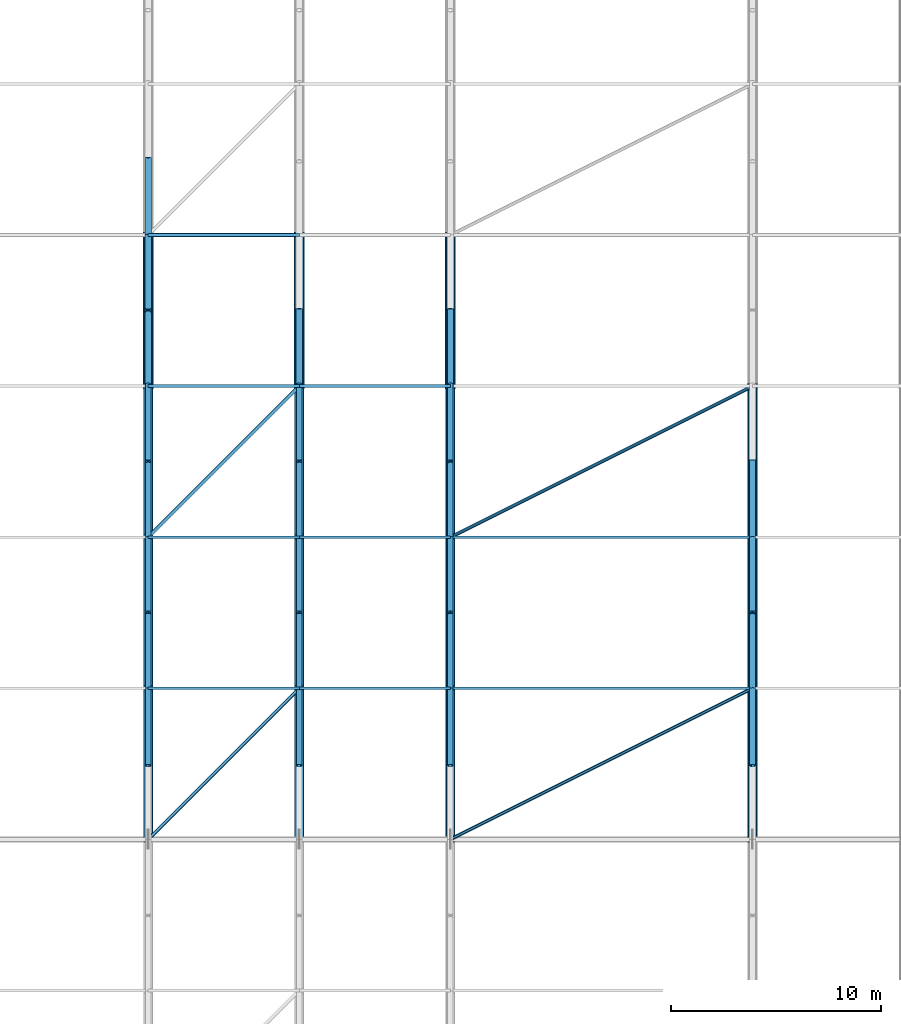
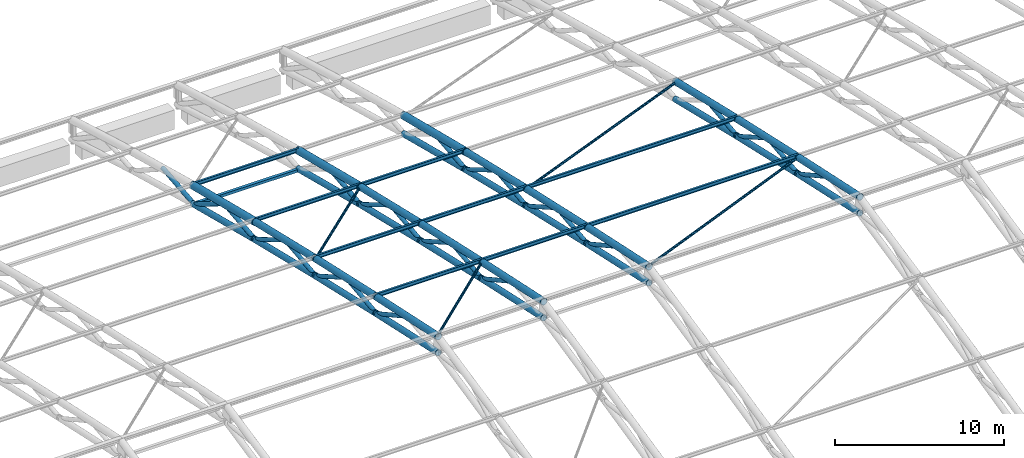
# One storey, part 50 of 193: 68 members.
"""IFC4 building model written with IfcOpenShell, lengths in metres."""

from ifc_helpers import new_model, si_unit, direction, frame, origin, origin_2d, place, context, subcontext, project, spatial, hollow_rectangle, hollow_circle, i_section, extrude, material, material_profile, profile_set, type_object, element, save


model = new_model("IFC4")

# Units and contexts
model_context = context("Model", 3, precision=1e-05, world=origin(), true_north=direction((0.0, 1.0)))
body_context = subcontext(model_context, "Body", "Model", "MODEL_VIEW")
ifc_project = project(units=[si_unit("LENGTHUNIT", "METRE"), si_unit("AREAUNIT", "SQUARE_METRE"), si_unit("VOLUMEUNIT", "CUBIC_METRE"), si_unit("PLANEANGLEUNIT", "RADIAN"), si_unit("MASSUNIT", "GRAM", prefix="KILO")], contexts=[model_context])

# Site, building, storey
site_placement = place(None, origin())
site = spatial("IfcSite", under=ifc_project, at=site_placement, CompositionType="ELEMENT")
building_placement = place(site_placement, origin())
building = spatial("IfcBuilding", under=site, at=building_placement, Name="Cendralis Lancet Convention Centre", CompositionType="ELEMENT")
storey_placement = place(building_placement, frame((0.0, 0.0, 10.199951171875)))
storey = spatial("IfcBuildingStorey", under=building, at=storey_placement, Name="L02", CompositionType="ELEMENT", Elevation=10.199951171875)

# Members
ifc_material = material(Name="Steel S355", Category="steel")
ifc_material_profile_1 = material_profile(ifc_material, hollow_circle(Radius=0.084228515625, WallThickness=0.008056640625, at=origin_2d()), Name="CHS 168.3x8.0")
ifc_profile_set_1 = profile_set([ifc_material_profile_1], Name="Steel S355")
member_type_1 = type_object("IfcMemberType", Name="STR-BR-RB01", PredefinedType="BRACE", material=ifc_profile_set_1)
member_1_placement = place(storey_placement, frame((64.800048828125, 93.60009765625, 14.199951171875), z_axis=(0.699157645692, 0.699157645692, -0.149523151856), x_axis=(-0.707106781187, 0.707106781187, 0.0)))
element("IfcMember", 1, at=member_1_placement, inside=storey, type_object=member_type_1, Name="Roof Diaphragm Brace RB01 V1-07-06A", PredefinedType="BRACE", context=body_context, shape_type="SweptSolid", body=[
    extrude(hollow_circle(Radius=0.084228515625, WallThickness=0.008056640625, at=origin_2d()), origin(), (0.0, 0.0, 1.0), 10.298095703125),
])
member_2_placement = place(storey_placement, frame((64.800048828125, 108.0, 11.056884765625), z_axis=(0.697591582707, 0.697591582707, -0.163499135997), x_axis=(-0.707106781187, 0.707106781187, 0.0)))
element("IfcMember", 2, at=member_2_placement, inside=storey, type_object=member_type_1, Name="Roof Diaphragm Brace RB01 V1-07-08A", PredefinedType="BRACE", context=body_context, shape_type="SweptSolid", body=[
    extrude(hollow_circle(Radius=0.084228515625, WallThickness=0.008056640625, at=origin_2d()), origin(), (0.0, 0.0, 1.0), 10.321044921875),
])
member_3_placement = place(storey_placement, frame((79.199951171875, 93.60009765625, 14.199951171875), z_axis=(0.890367340443, 0.445176122561, -0.095206191889), x_axis=(-0.447207529808, 0.89443022382, 0.0)))
element("IfcMember", 3, at=member_3_placement, inside=storey, type_object=member_type_1, Name="Roof Diaphragm Brace RB01 V1-09-06A", PredefinedType="BRACE", context=body_context, shape_type="SweptSolid", body=[
    extrude(hollow_circle(Radius=0.084228515625, WallThickness=0.008056640625, at=origin_2d()), origin(), (0.0, 0.0, 1.0), 16.17333984375),
])
member_4_placement = place(storey_placement, frame((79.199951171875, 108.0, 11.056884765625), z_axis=(0.88955715425, 0.444771036332, -0.10424391859), x_axis=(-0.447207529808, 0.89443022382, 0.0)))
element("IfcMember", 4, at=member_4_placement, inside=storey, type_object=member_type_1, Name="Roof Diaphragm Brace RB01 V1-09-08A", PredefinedType="BRACE", context=body_context, shape_type="SweptSolid", body=[
    extrude(hollow_circle(Radius=0.084228515625, WallThickness=0.008056640625, at=origin_2d()), origin(), (0.0, 0.0, 1.0), 16.18798828125),
])
ifc_material_profile_2 = material_profile(ifc_material, hollow_rectangle(XDim=0.199951171875, YDim=0.199951171875, WallThickness=0.010009765625, at=origin_2d()), Name="SHS 200x200x10.0")
ifc_profile_set_2 = profile_set([ifc_material_profile_2], Name="Steel S355")
member_type_2 = type_object("IfcMemberType", Name="STR-BR-ST01", PredefinedType="STRUT", material=ifc_profile_set_2)
member_5_placement = place(storey_placement, frame((64.800048828125, 122.39990234375, 6.2509765625), z_axis=(1.0, 0.0, 0.0), x_axis=(0.0, 1.0, 0.0)))
element("IfcMember", 5, at=member_5_placement, inside=storey, type_object=member_type_2, Name="Arch Tie Strut ST01 V1-07-10", PredefinedType="STRUT", context=body_context, shape_type="SweptSolid", body=[
    extrude(hollow_rectangle(XDim=0.199951171875, YDim=0.199951171875, WallThickness=0.010009765625, at=origin_2d()), origin(), (0.0, 0.0, 1.0), 7.199951171875),
])
ifc_material_profile_3 = material_profile(ifc_material, i_section(OverallWidth=0.135009765625, OverallDepth=0.27001953125, WebThickness=0.006591796875, FlangeThickness=0.01025390625, FilletRadius=0.014892578125, at=origin_2d()), Name="IPE 270")
ifc_profile_set_3 = profile_set([ifc_material_profile_3], Name="Steel S355")
member_type_3 = type_object("IfcMemberType", Name="STR-PR-PR01", PredefinedType="PURLIN", material=ifc_profile_set_3)
for number, where, z_axis, x_axis, name in (
    (6, (64.800048828125, 100.800048828125, 12.775146484375), (1.0, 0.0, 0.0), (0.0, 1.0, 0.0), "Vault Roof Purlin PR01 V1-07-07"),
    (7, (64.800048828125, 108.0, 11.171875), (1.0, 0.0, 0.0), (0.0, 1.0, 0.0), "Vault Roof Purlin PR01 V1-07-08"),
    (8, (64.800048828125, 115.199951171875, 9.484375), (1.0, 0.0, 0.0), (0.0, 1.0, 0.0), "Vault Roof Purlin PR01 V1-07-09"),
    (9, (64.800048828125, 122.39990234375, 7.69140625), (1.0, 0.0, 0.0), (0.0, 1.0, 0.0), "Vault Roof Purlin PR01 V1-07-10"),
    (10, (72.0, 100.800048828125, 12.775146484375), (1.0, 0.0, 0.0), (0.0, 1.0, 0.0), "Vault Roof Purlin PR01 V1-08-07"),
    (11, (72.0, 108.0, 11.171875), (1.0, 0.0, 0.0), (0.0, 1.0, 0.0), "Vault Roof Purlin PR01 V1-08-08"),
    (12, (72.0, 115.199951171875, 9.484375), (1.0, 0.0, 0.0), (0.0, 1.0, 0.0), "Vault Roof Purlin PR01 V1-08-09"),
):
    element("IfcMember", number, at=place(storey_placement, frame(where, z_axis=z_axis, x_axis=x_axis)), inside=storey, type_object=member_type_3, Name=name, PredefinedType="PURLIN", context=body_context, shape_type="SweptSolid", body=[
        extrude(i_section(OverallWidth=0.135009765625, OverallDepth=0.27001953125, WebThickness=0.006591796875, FlangeThickness=0.01025390625, FilletRadius=0.014892578125, at=origin_2d()), origin(), (0.0, 0.0, 1.0), 7.199951171875),
    ])
for number, where, z_axis, x_axis, name in (
    (13, (79.199951171875, 100.800048828125, 12.775146484375), (1.0, 0.0, 0.0), (0.0, 1.0, 0.0), "Vault Roof Purlin PR01 V1-09-07"),
    (14, (79.199951171875, 108.0, 11.171875), (1.0, 0.0, 0.0), (0.0, 1.0, 0.0), "Vault Roof Purlin PR01 V1-09-08"),
):
    element("IfcMember", number, at=place(storey_placement, frame(where, z_axis=z_axis, x_axis=x_axis)), inside=storey, type_object=member_type_3, Name=name, PredefinedType="PURLIN", context=body_context, shape_type="SweptSolid", body=[
        extrude(i_section(OverallWidth=0.135009765625, OverallDepth=0.27001953125, WebThickness=0.006591796875, FlangeThickness=0.01025390625, FilletRadius=0.014892578125, at=origin_2d()), origin(), (0.0, 0.0, 1.0), 14.400146484375),
    ])
ifc_material_profile_4 = material_profile(ifc_material, hollow_circle(Radius=0.203125, WallThickness=0.01611328125, at=origin_2d()), Name="CHS 406.4x16.0")
ifc_profile_set_4 = profile_set([ifc_material_profile_4], Name="Steel S355")
member_type_4 = type_object("IfcMemberType", Name="STR-TR-BC01-INT", PredefinedType="CHORD", material=ifc_profile_set_4)
member_6_placement = place(storey_placement, frame((64.800048828125, 93.48291015625, 13.0498046875), z_axis=(0.0, 0.97683404926, -0.213998224775), x_axis=(-1.0, 0.0, 0.0)))
element("IfcMember", 15, at=member_6_placement, inside=storey, type_object=member_type_4, Name="ROOF TRUSS AT-V1-08 Bottom Chord 06", PredefinedType="CHORD", context=body_context, shape_type="SweptSolid", body=[
    extrude(hollow_circle(Radius=0.203125, WallThickness=0.01611328125, at=origin_2d()), origin(), (0.0, 0.0, 1.0), 7.610595703125),
])
member_7_placement = place(storey_placement, frame((64.800048828125, 100.68310546875, 11.4736328125), z_axis=(0.0, 0.975002780506, -0.222192659658), x_axis=(-1.0, 0.0, 0.0)))
element("IfcMember", 16, at=member_7_placement, inside=storey, type_object=member_type_4, Name="ROOF TRUSS AT-V1-08 Bottom Chord 07", PredefinedType="CHORD", context=body_context, shape_type="SweptSolid", body=[
    extrude(hollow_circle(Radius=0.203125, WallThickness=0.01611328125, at=origin_2d()), origin(), (0.0, 0.0, 1.0), 7.62451171875),
])
member_8_placement = place(storey_placement, frame((64.800048828125, 107.88330078125, 9.834228515625), z_axis=(0.0, 0.97248347478, -0.232971868002), x_axis=(-1.0, 0.0, 0.0)))
element("IfcMember", 17, at=member_8_placement, inside=storey, type_object=member_type_4, Name="ROOF TRUSS AT-V1-08 Bottom Chord 08", PredefinedType="CHORD", context=body_context, shape_type="SweptSolid", body=[
    extrude(hollow_circle(Radius=0.203125, WallThickness=0.01611328125, at=origin_2d()), origin(), (0.0, 0.0, 1.0), 7.643798828125),
])
member_9_placement = place(storey_placement, frame((64.800048828125, 115.083740234375, 8.111083984375), z_axis=(0.0, 0.969168531094, -0.246398779092), x_axis=(-1.0, 0.0, 0.0)))
element("IfcMember", 18, at=member_9_placement, inside=storey, type_object=member_type_4, Name="ROOF TRUSS AT-V1-08 Bottom Chord 09", PredefinedType="CHORD", context=body_context, shape_type="SweptSolid", body=[
    extrude(hollow_circle(Radius=0.203125, WallThickness=0.01611328125, at=origin_2d()), origin(), (0.0, 0.0, 1.0), 7.6689453125),
])
member_10_placement = place(storey_placement, frame((72.0, 93.48291015625, 13.0498046875), z_axis=(0.0, 0.97683404926, -0.213998224775), x_axis=(-1.0, 0.0, 0.0)))
element("IfcMember", 19, at=member_10_placement, inside=storey, type_object=member_type_4, Name="ROOF TRUSS AT-V1-09 Bottom Chord 06", PredefinedType="CHORD", context=body_context, shape_type="SweptSolid", body=[
    extrude(hollow_circle(Radius=0.203125, WallThickness=0.01611328125, at=origin_2d()), origin(), (0.0, 0.0, 1.0), 7.610595703125),
])
member_11_placement = place(storey_placement, frame((72.0, 100.68310546875, 11.4736328125), z_axis=(0.0, 0.975002780506, -0.222192659658), x_axis=(-1.0, 0.0, 0.0)))
element("IfcMember", 20, at=member_11_placement, inside=storey, type_object=member_type_4, Name="ROOF TRUSS AT-V1-09 Bottom Chord 07", PredefinedType="CHORD", context=body_context, shape_type="SweptSolid", body=[
    extrude(hollow_circle(Radius=0.203125, WallThickness=0.01611328125, at=origin_2d()), origin(), (0.0, 0.0, 1.0), 7.62451171875),
])
member_12_placement = place(storey_placement, frame((72.0, 107.88330078125, 9.834228515625), z_axis=(0.0, 0.97248347478, -0.232971868002), x_axis=(-1.0, 0.0, 0.0)))
element("IfcMember", 21, at=member_12_placement, inside=storey, type_object=member_type_4, Name="ROOF TRUSS AT-V1-09 Bottom Chord 08", PredefinedType="CHORD", context=body_context, shape_type="SweptSolid", body=[
    extrude(hollow_circle(Radius=0.203125, WallThickness=0.01611328125, at=origin_2d()), origin(), (0.0, 0.0, 1.0), 7.643798828125),
])
member_13_placement = place(storey_placement, frame((72.0, 115.083740234375, 8.111083984375), z_axis=(0.0, 0.969168531094, -0.246398779092), x_axis=(-1.0, 0.0, 0.0)))
element("IfcMember", 22, at=member_13_placement, inside=storey, type_object=member_type_4, Name="ROOF TRUSS AT-V1-09 Bottom Chord 09", PredefinedType="CHORD", context=body_context, shape_type="SweptSolid", body=[
    extrude(hollow_circle(Radius=0.203125, WallThickness=0.01611328125, at=origin_2d()), origin(), (0.0, 0.0, 1.0), 7.6689453125),
])
member_14_placement = place(storey_placement, frame((79.199951171875, 93.48291015625, 13.0498046875), z_axis=(0.0, 0.97683404926, -0.213998224775), x_axis=(-1.0, 0.0, 0.0)))
element("IfcMember", 23, at=member_14_placement, inside=storey, type_object=member_type_4, Name="ROOF TRUSS AT-V1-10 Bottom Chord 06", PredefinedType="CHORD", context=body_context, shape_type="SweptSolid", body=[
    extrude(hollow_circle(Radius=0.203125, WallThickness=0.01611328125, at=origin_2d()), origin(), (0.0, 0.0, 1.0), 7.610595703125),
])
member_15_placement = place(storey_placement, frame((79.199951171875, 100.68310546875, 11.4736328125), z_axis=(0.0, 0.975002780506, -0.222192659658), x_axis=(-1.0, 0.0, 0.0)))
element("IfcMember", 24, at=member_15_placement, inside=storey, type_object=member_type_4, Name="ROOF TRUSS AT-V1-10 Bottom Chord 07", PredefinedType="CHORD", context=body_context, shape_type="SweptSolid", body=[
    extrude(hollow_circle(Radius=0.203125, WallThickness=0.01611328125, at=origin_2d()), origin(), (0.0, 0.0, 1.0), 7.62451171875),
])
member_16_placement = place(storey_placement, frame((79.199951171875, 107.88330078125, 9.834228515625), z_axis=(0.0, 0.97248347478, -0.232971868002), x_axis=(-1.0, 0.0, 0.0)))
element("IfcMember", 25, at=member_16_placement, inside=storey, type_object=member_type_4, Name="ROOF TRUSS AT-V1-10 Bottom Chord 08", PredefinedType="CHORD", context=body_context, shape_type="SweptSolid", body=[
    extrude(hollow_circle(Radius=0.203125, WallThickness=0.01611328125, at=origin_2d()), origin(), (0.0, 0.0, 1.0), 7.643798828125),
])
member_17_placement = place(storey_placement, frame((79.199951171875, 115.083740234375, 8.111083984375), z_axis=(0.0, 0.969168531094, -0.246398779092), x_axis=(-1.0, 0.0, 0.0)))
element("IfcMember", 26, at=member_17_placement, inside=storey, type_object=member_type_4, Name="ROOF TRUSS AT-V1-10 Bottom Chord 09", PredefinedType="CHORD", context=body_context, shape_type="SweptSolid", body=[
    extrude(hollow_circle(Radius=0.203125, WallThickness=0.01611328125, at=origin_2d()), origin(), (0.0, 0.0, 1.0), 7.6689453125),
])
member_18_placement = place(storey_placement, frame((93.60009765625, 93.48291015625, 13.0498046875), z_axis=(0.0, 0.97683404926, -0.213998224775), x_axis=(-1.0, 0.0, 0.0)))
element("IfcMember", 27, at=member_18_placement, inside=storey, type_object=member_type_4, Name="ROOF TRUSS AT-V1-11 Bottom Chord 06", PredefinedType="CHORD", context=body_context, shape_type="SweptSolid", body=[
    extrude(hollow_circle(Radius=0.203125, WallThickness=0.01611328125, at=origin_2d()), origin(), (0.0, 0.0, 1.0), 7.610595703125),
])
member_19_placement = place(storey_placement, frame((93.60009765625, 100.68310546875, 11.4736328125), z_axis=(0.0, 0.975002780506, -0.222192659658), x_axis=(-1.0, 0.0, 0.0)))
element("IfcMember", 28, at=member_19_placement, inside=storey, type_object=member_type_4, Name="ROOF TRUSS AT-V1-11 Bottom Chord 07", PredefinedType="CHORD", context=body_context, shape_type="SweptSolid", body=[
    extrude(hollow_circle(Radius=0.203125, WallThickness=0.01611328125, at=origin_2d()), origin(), (0.0, 0.0, 1.0), 7.62451171875),
])
member_20_placement = place(storey_placement, frame((93.60009765625, 107.88330078125, 9.834228515625), z_axis=(0.0, 0.97248347478, -0.232971868002), x_axis=(-1.0, 0.0, 0.0)))
element("IfcMember", 29, at=member_20_placement, inside=storey, type_object=member_type_4, Name="ROOF TRUSS AT-V1-11 Bottom Chord 08", PredefinedType="CHORD", context=body_context, shape_type="SweptSolid", body=[
    extrude(hollow_circle(Radius=0.203125, WallThickness=0.01611328125, at=origin_2d()), origin(), (0.0, 0.0, 1.0), 7.643798828125),
])
ifc_material_profile_5 = material_profile(ifc_material, hollow_circle(Radius=0.25390625, WallThickness=0.02001953125, at=origin_2d()), Name="CHS 508.0x20.0")
ifc_profile_set_5 = profile_set([ifc_material_profile_5], Name="Steel S355")
member_type_5 = type_object("IfcMemberType", Name="STR-TR-TC01-INT", PredefinedType="CHORD", material=ifc_profile_set_5)
for number, where, z_axis, x_axis, name in (
    (30, (64.800048828125, 115.08349609375, 9.3984375), (0.0, 0.97036146187, -0.241658091769), (-1.0, 0.0, 0.0), "ROOF TRUSS AT-V1-08 Top Chord 09"),
    (31, (72.0, 115.08349609375, 9.3984375), (0.0, 0.97036146187, -0.241658091769), (-1.0, 0.0, 0.0), "ROOF TRUSS AT-V1-09 Top Chord 09"),
    (32, (79.199951171875, 115.08349609375, 9.3984375), (0.0, 0.97036146187, -0.241658091769), (-1.0, 0.0, 0.0), "ROOF TRUSS AT-V1-10 Top Chord 09"),
):
    element("IfcMember", number, at=place(storey_placement, frame(where, z_axis=z_axis, x_axis=x_axis)), inside=storey, type_object=member_type_5, Name=name, PredefinedType="CHORD", context=body_context, shape_type="SweptSolid", body=[
        extrude(hollow_circle(Radius=0.25390625, WallThickness=0.02001953125, at=origin_2d()), origin(), (0.0, 0.0, 1.0), 7.659912109375),
    ])
ifc_material_profile_6 = material_profile(ifc_material, hollow_circle(Radius=0.228515625, WallThickness=0.02001953125, at=origin_2d()), Name="CHS 457.0x20.0")
ifc_profile_set_6 = profile_set([ifc_material_profile_6], Name="Steel S355")
member_type_6 = type_object("IfcMemberType", Name="STR-TR-TC01B-INT", PredefinedType="CHORD", material=ifc_profile_set_6)
member_21_placement = place(storey_placement, frame((64.800048828125, 93.482666015625, 14.22509765625), z_axis=(0.0, 0.97788410853, -0.209147484528), x_axis=(-1.0, 0.0, 0.0)))
element("IfcMember", 33, at=member_21_placement, inside=storey, type_object=member_type_6, Name="ROOF TRUSS AT-V1-08 Top Chord 06", PredefinedType="CHORD", context=body_context, shape_type="SweptSolid", body=[
    extrude(hollow_circle(Radius=0.228515625, WallThickness=0.02001953125, at=origin_2d()), origin(), (0.0, 0.0, 1.0), 7.602783203125),
])
member_22_placement = place(storey_placement, frame((64.800048828125, 100.682861328125, 12.686279296875), z_axis=(0.0, 0.976091178672, -0.217361475241), x_axis=(-1.0, 0.0, 0.0)))
element("IfcMember", 34, at=member_22_placement, inside=storey, type_object=member_type_6, Name="ROOF TRUSS AT-V1-08 Top Chord 07", PredefinedType="CHORD", context=body_context, shape_type="SweptSolid", body=[
    extrude(hollow_circle(Radius=0.228515625, WallThickness=0.02001953125, at=origin_2d()), origin(), (0.0, 0.0, 1.0), 7.616455078125),
])
member_23_placement = place(storey_placement, frame((64.800048828125, 107.88330078125, 11.084228515625), z_axis=(0.0, 0.973618086595, -0.22818374494), x_axis=(-1.0, 0.0, 0.0)))
element("IfcMember", 35, at=member_23_placement, inside=storey, type_object=member_type_6, Name="ROOF TRUSS AT-V1-08 Top Chord 08", PredefinedType="CHORD", context=body_context, shape_type="SweptSolid", body=[
    extrude(hollow_circle(Radius=0.228515625, WallThickness=0.02001953125, at=origin_2d()), origin(), (0.0, 0.0, 1.0), 7.635009765625),
])
member_24_placement = place(storey_placement, frame((72.0, 93.482666015625, 14.22509765625), z_axis=(0.0, 0.97788410853, -0.209147484528), x_axis=(-1.0, 0.0, 0.0)))
element("IfcMember", 36, at=member_24_placement, inside=storey, type_object=member_type_6, Name="ROOF TRUSS AT-V1-09 Top Chord 06", PredefinedType="CHORD", context=body_context, shape_type="SweptSolid", body=[
    extrude(hollow_circle(Radius=0.228515625, WallThickness=0.02001953125, at=origin_2d()), origin(), (0.0, 0.0, 1.0), 7.602783203125),
])
member_25_placement = place(storey_placement, frame((72.0, 100.682861328125, 12.686279296875), z_axis=(0.0, 0.976091178672, -0.217361475241), x_axis=(-1.0, 0.0, 0.0)))
element("IfcMember", 37, at=member_25_placement, inside=storey, type_object=member_type_6, Name="ROOF TRUSS AT-V1-09 Top Chord 07", PredefinedType="CHORD", context=body_context, shape_type="SweptSolid", body=[
    extrude(hollow_circle(Radius=0.228515625, WallThickness=0.02001953125, at=origin_2d()), origin(), (0.0, 0.0, 1.0), 7.616455078125),
])
member_26_placement = place(storey_placement, frame((72.0, 107.88330078125, 11.084228515625), z_axis=(0.0, 0.973618086595, -0.22818374494), x_axis=(-1.0, 0.0, 0.0)))
element("IfcMember", 38, at=member_26_placement, inside=storey, type_object=member_type_6, Name="ROOF TRUSS AT-V1-09 Top Chord 08", PredefinedType="CHORD", context=body_context, shape_type="SweptSolid", body=[
    extrude(hollow_circle(Radius=0.228515625, WallThickness=0.02001953125, at=origin_2d()), origin(), (0.0, 0.0, 1.0), 7.635009765625),
])
member_27_placement = place(storey_placement, frame((79.199951171875, 93.482666015625, 14.22509765625), z_axis=(0.0, 0.97788410853, -0.209147484528), x_axis=(-1.0, 0.0, 0.0)))
element("IfcMember", 39, at=member_27_placement, inside=storey, type_object=member_type_6, Name="ROOF TRUSS AT-V1-10 Top Chord 06", PredefinedType="CHORD", context=body_context, shape_type="SweptSolid", body=[
    extrude(hollow_circle(Radius=0.228515625, WallThickness=0.02001953125, at=origin_2d()), origin(), (0.0, 0.0, 1.0), 7.602783203125),
])
member_28_placement = place(storey_placement, frame((79.199951171875, 100.682861328125, 12.686279296875), z_axis=(0.0, 0.976091178672, -0.217361475241), x_axis=(-1.0, 0.0, 0.0)))
element("IfcMember", 40, at=member_28_placement, inside=storey, type_object=member_type_6, Name="ROOF TRUSS AT-V1-10 Top Chord 07", PredefinedType="CHORD", context=body_context, shape_type="SweptSolid", body=[
    extrude(hollow_circle(Radius=0.228515625, WallThickness=0.02001953125, at=origin_2d()), origin(), (0.0, 0.0, 1.0), 7.616455078125),
])
member_29_placement = place(storey_placement, frame((79.199951171875, 107.88330078125, 11.084228515625), z_axis=(0.0, 0.973618086595, -0.22818374494), x_axis=(-1.0, 0.0, 0.0)))
element("IfcMember", 41, at=member_29_placement, inside=storey, type_object=member_type_6, Name="ROOF TRUSS AT-V1-10 Top Chord 08", PredefinedType="CHORD", context=body_context, shape_type="SweptSolid", body=[
    extrude(hollow_circle(Radius=0.228515625, WallThickness=0.02001953125, at=origin_2d()), origin(), (0.0, 0.0, 1.0), 7.635009765625),
])
member_30_placement = place(storey_placement, frame((93.60009765625, 93.482666015625, 14.22509765625), z_axis=(0.0, 0.97788410853, -0.209147484528), x_axis=(-1.0, 0.0, 0.0)))
element("IfcMember", 42, at=member_30_placement, inside=storey, type_object=member_type_6, Name="ROOF TRUSS AT-V1-11 Top Chord 06", PredefinedType="CHORD", context=body_context, shape_type="SweptSolid", body=[
    extrude(hollow_circle(Radius=0.228515625, WallThickness=0.02001953125, at=origin_2d()), origin(), (0.0, 0.0, 1.0), 7.602783203125),
])
member_31_placement = place(storey_placement, frame((93.60009765625, 100.682861328125, 12.686279296875), z_axis=(0.0, 0.976091178672, -0.217361475241), x_axis=(-1.0, 0.0, 0.0)))
element("IfcMember", 43, at=member_31_placement, inside=storey, type_object=member_type_6, Name="ROOF TRUSS AT-V1-11 Top Chord 07", PredefinedType="CHORD", context=body_context, shape_type="SweptSolid", body=[
    extrude(hollow_circle(Radius=0.228515625, WallThickness=0.02001953125, at=origin_2d()), origin(), (0.0, 0.0, 1.0), 7.616455078125),
])
member_32_placement = place(storey_placement, frame((93.60009765625, 107.88330078125, 11.084228515625), z_axis=(0.0, 0.973618086595, -0.22818374494), x_axis=(-1.0, 0.0, 0.0)))
element("IfcMember", 44, at=member_32_placement, inside=storey, type_object=member_type_6, Name="ROOF TRUSS AT-V1-11 Top Chord 08", PredefinedType="CHORD", context=body_context, shape_type="SweptSolid", body=[
    extrude(hollow_circle(Radius=0.228515625, WallThickness=0.02001953125, at=origin_2d()), origin(), (0.0, 0.0, 1.0), 7.635009765625),
])
ifc_material_profile_7 = material_profile(ifc_material, hollow_circle(Radius=0.149169921875, WallThickness=0.012451171875, at=origin_2d()), Name="CHS 298.5x12.5")
ifc_profile_set_7 = profile_set([ifc_material_profile_7], Name="Steel S355")
member_type_7 = type_object("IfcMemberType", Name="STR-TR-WD01-INT", PredefinedType="BRACE", material=ifc_profile_set_7)
member_33_placement = place(storey_placement, frame((64.800048828125, 115.1005859375, 8.070556640625), z_axis=(0.0, 0.994139687453, 0.108103107402), x_axis=(-1.0, 0.0, 0.0)))
element("IfcMember", 45, at=member_33_placement, inside=storey, type_object=member_type_7, Name="ROOF TRUSS AT-V1-08 Warren Web 09-0", PredefinedType="BRACE", context=body_context, shape_type="SweptSolid", body=[
    extrude(hollow_circle(Radius=0.149169921875, WallThickness=0.012451171875, at=origin_2d()), origin(), (0.0, 0.0, 1.0), 3.8212890625),
])
member_34_placement = place(storey_placement, frame((64.800048828125, 118.71484375, 8.525390625), z_axis=(0.0, 0.850978373815, -0.525200730482), x_axis=(-1.0, 0.0, 0.0)))
element("IfcMember", 46, at=member_34_placement, inside=storey, type_object=member_type_7, Name="ROOF TRUSS AT-V1-08 Warren Web 09-1", PredefinedType="BRACE", context=body_context, shape_type="SweptSolid", body=[
    extrude(hollow_circle(Radius=0.149169921875, WallThickness=0.012451171875, at=origin_2d()), origin(), (0.0, 0.0, 1.0), 4.430419921875),
])
member_35_placement = place(storey_placement, frame((64.800048828125, 122.300537109375, 6.240966796875), z_axis=(0.0, 0.994884749511, 0.101016509493), x_axis=(-1.0, 0.0, 0.0)))
element("IfcMember", 47, at=member_35_placement, inside=storey, type_object=member_type_7, Name="ROOF TRUSS AT-V1-08 Warren Web 10-0", PredefinedType="BRACE", context=body_context, shape_type="SweptSolid", body=[
    extrude(hollow_circle(Radius=0.149169921875, WallThickness=0.012451171875, at=origin_2d()), origin(), (0.0, 0.0, 1.0), 3.818603515625),
])
for number, where, z_axis, x_axis, name in (
    (48, (72.0, 115.1005859375, 8.070556640625), (0.0, 0.994139687453, 0.108103107402), (-1.0, 0.0, 0.0), "ROOF TRUSS AT-V1-09 Warren Web 09-0"),
    (49, (79.199951171875, 115.1005859375, 8.070556640625), (0.0, 0.994139687453, 0.108103107402), (-1.0, 0.0, 0.0), "ROOF TRUSS AT-V1-10 Warren Web 09-0"),
):
    element("IfcMember", number, at=place(storey_placement, frame(where, z_axis=z_axis, x_axis=x_axis)), inside=storey, type_object=member_type_7, Name=name, PredefinedType="BRACE", context=body_context, shape_type="SweptSolid", body=[
        extrude(hollow_circle(Radius=0.149169921875, WallThickness=0.012451171875, at=origin_2d()), origin(), (0.0, 0.0, 1.0), 3.8212890625),
    ])
ifc_material_profile_8 = material_profile(ifc_material, hollow_circle(Radius=0.136474609375, WallThickness=0.012451171875, at=origin_2d()), Name="CHS 273.0x12.5")
ifc_profile_set_8 = profile_set([ifc_material_profile_8], Name="Steel S355")
member_type_8 = type_object("IfcMemberType", Name="STR-TR-WD01B-INT", PredefinedType="BRACE", material=ifc_profile_set_8)
member_36_placement = place(storey_placement, frame((64.800048828125, 97.1123046875, 13.478271484375), z_axis=(0.0, 0.875885645672, -0.482518741301), x_axis=(-1.0, 0.0, 0.0)))
element("IfcMember", 50, at=member_36_placement, inside=storey, type_object=member_type_8, Name="ROOF TRUSS AT-V1-08 Warren Web 06-1", PredefinedType="BRACE", context=body_context, shape_type="SweptSolid", body=[
    extrude(hollow_circle(Radius=0.136474609375, WallThickness=0.012451171875, at=origin_2d()), origin(), (0.0, 0.0, 1.0), 4.310302734375),
])
member_37_placement = place(storey_placement, frame((64.800048828125, 100.70068359375, 11.435546875), z_axis=(0.0, 0.993527526481, 0.113591611157), x_axis=(-1.0, 0.0, 0.0)))
element("IfcMember", 51, at=member_37_placement, inside=storey, type_object=member_type_8, Name="ROOF TRUSS AT-V1-08 Warren Web 07-0", PredefinedType="BRACE", context=body_context, shape_type="SweptSolid", body=[
    extrude(hollow_circle(Radius=0.136474609375, WallThickness=0.012451171875, at=origin_2d()), origin(), (0.0, 0.0, 1.0), 3.823486328125),
])
member_38_placement = place(storey_placement, frame((64.800048828125, 104.31298828125, 11.907958984375), z_axis=(0.0, 0.86877872096, -0.495200498795), x_axis=(-1.0, 0.0, 0.0)))
element("IfcMember", 52, at=member_38_placement, inside=storey, type_object=member_type_8, Name="ROOF TRUSS AT-V1-08 Warren Web 07-1", PredefinedType="BRACE", context=body_context, shape_type="SweptSolid", body=[
    extrude(hollow_circle(Radius=0.136474609375, WallThickness=0.012451171875, at=origin_2d()), origin(), (0.0, 0.0, 1.0), 4.343994140625),
])
member_39_placement = place(storey_placement, frame((64.800048828125, 107.900634765625, 9.795166015625), z_axis=(0.0, 0.993677994269, 0.112267732257), x_axis=(-1.0, 0.0, 0.0)))
element("IfcMember", 53, at=member_39_placement, inside=storey, type_object=member_type_8, Name="ROOF TRUSS AT-V1-08 Warren Web 08-0", PredefinedType="BRACE", context=body_context, shape_type="SweptSolid", body=[
    extrude(hollow_circle(Radius=0.136474609375, WallThickness=0.012451171875, at=origin_2d()), origin(), (0.0, 0.0, 1.0), 3.822998046875),
])
member_40_placement = place(storey_placement, frame((64.800048828125, 111.513916015625, 10.26416015625), z_axis=(0.0, 0.860451614668, -0.509532156802), x_axis=(-1.0, 0.0, 0.0)))
element("IfcMember", 54, at=member_40_placement, inside=storey, type_object=member_type_8, Name="ROOF TRUSS AT-V1-08 Warren Web 08-1", PredefinedType="BRACE", context=body_context, shape_type="SweptSolid", body=[
    extrude(hollow_circle(Radius=0.136474609375, WallThickness=0.012451171875, at=origin_2d()), origin(), (0.0, 0.0, 1.0), 4.3837890625),
])
member_41_placement = place(storey_placement, frame((72.0, 97.1123046875, 13.478271484375), z_axis=(0.0, 0.875885645672, -0.482518741301), x_axis=(-1.0, 0.0, 0.0)))
element("IfcMember", 55, at=member_41_placement, inside=storey, type_object=member_type_8, Name="ROOF TRUSS AT-V1-09 Warren Web 06-1", PredefinedType="BRACE", context=body_context, shape_type="SweptSolid", body=[
    extrude(hollow_circle(Radius=0.136474609375, WallThickness=0.012451171875, at=origin_2d()), origin(), (0.0, 0.0, 1.0), 4.310302734375),
])
member_42_placement = place(storey_placement, frame((72.0, 100.70068359375, 11.435546875), z_axis=(0.0, 0.993527526481, 0.113591611157), x_axis=(-1.0, 0.0, 0.0)))
element("IfcMember", 56, at=member_42_placement, inside=storey, type_object=member_type_8, Name="ROOF TRUSS AT-V1-09 Warren Web 07-0", PredefinedType="BRACE", context=body_context, shape_type="SweptSolid", body=[
    extrude(hollow_circle(Radius=0.136474609375, WallThickness=0.012451171875, at=origin_2d()), origin(), (0.0, 0.0, 1.0), 3.823486328125),
])
member_43_placement = place(storey_placement, frame((72.0, 104.31298828125, 11.907958984375), z_axis=(0.0, 0.86877872096, -0.495200498795), x_axis=(-1.0, 0.0, 0.0)))
element("IfcMember", 57, at=member_43_placement, inside=storey, type_object=member_type_8, Name="ROOF TRUSS AT-V1-09 Warren Web 07-1", PredefinedType="BRACE", context=body_context, shape_type="SweptSolid", body=[
    extrude(hollow_circle(Radius=0.136474609375, WallThickness=0.012451171875, at=origin_2d()), origin(), (0.0, 0.0, 1.0), 4.343994140625),
])
member_44_placement = place(storey_placement, frame((72.0, 107.900634765625, 9.795166015625), z_axis=(0.0, 0.993677994269, 0.112267732257), x_axis=(-1.0, 0.0, 0.0)))
element("IfcMember", 58, at=member_44_placement, inside=storey, type_object=member_type_8, Name="ROOF TRUSS AT-V1-09 Warren Web 08-0", PredefinedType="BRACE", context=body_context, shape_type="SweptSolid", body=[
    extrude(hollow_circle(Radius=0.136474609375, WallThickness=0.012451171875, at=origin_2d()), origin(), (0.0, 0.0, 1.0), 3.822998046875),
])
member_45_placement = place(storey_placement, frame((72.0, 111.513916015625, 10.26416015625), z_axis=(0.0, 0.860451614668, -0.509532156802), x_axis=(-1.0, 0.0, 0.0)))
element("IfcMember", 59, at=member_45_placement, inside=storey, type_object=member_type_8, Name="ROOF TRUSS AT-V1-09 Warren Web 08-1", PredefinedType="BRACE", context=body_context, shape_type="SweptSolid", body=[
    extrude(hollow_circle(Radius=0.136474609375, WallThickness=0.012451171875, at=origin_2d()), origin(), (0.0, 0.0, 1.0), 4.3837890625),
])
member_46_placement = place(storey_placement, frame((79.199951171875, 97.1123046875, 13.478271484375), z_axis=(0.0, 0.875885645672, -0.482518741301), x_axis=(-1.0, 0.0, 0.0)))
element("IfcMember", 60, at=member_46_placement, inside=storey, type_object=member_type_8, Name="ROOF TRUSS AT-V1-10 Warren Web 06-1", PredefinedType="BRACE", context=body_context, shape_type="SweptSolid", body=[
    extrude(hollow_circle(Radius=0.136474609375, WallThickness=0.012451171875, at=origin_2d()), origin(), (0.0, 0.0, 1.0), 4.310302734375),
])
member_47_placement = place(storey_placement, frame((79.199951171875, 100.70068359375, 11.435546875), z_axis=(0.0, 0.993527526481, 0.113591611157), x_axis=(-1.0, 0.0, 0.0)))
element("IfcMember", 61, at=member_47_placement, inside=storey, type_object=member_type_8, Name="ROOF TRUSS AT-V1-10 Warren Web 07-0", PredefinedType="BRACE", context=body_context, shape_type="SweptSolid", body=[
    extrude(hollow_circle(Radius=0.136474609375, WallThickness=0.012451171875, at=origin_2d()), origin(), (0.0, 0.0, 1.0), 3.823486328125),
])
member_48_placement = place(storey_placement, frame((79.199951171875, 104.31298828125, 11.907958984375), z_axis=(0.0, 0.86877872096, -0.495200498795), x_axis=(-1.0, 0.0, 0.0)))
element("IfcMember", 62, at=member_48_placement, inside=storey, type_object=member_type_8, Name="ROOF TRUSS AT-V1-10 Warren Web 07-1", PredefinedType="BRACE", context=body_context, shape_type="SweptSolid", body=[
    extrude(hollow_circle(Radius=0.136474609375, WallThickness=0.012451171875, at=origin_2d()), origin(), (0.0, 0.0, 1.0), 4.343994140625),
])
member_49_placement = place(storey_placement, frame((79.199951171875, 107.900634765625, 9.795166015625), z_axis=(0.0, 0.993677994269, 0.112267732257), x_axis=(-1.0, 0.0, 0.0)))
element("IfcMember", 63, at=member_49_placement, inside=storey, type_object=member_type_8, Name="ROOF TRUSS AT-V1-10 Warren Web 08-0", PredefinedType="BRACE", context=body_context, shape_type="SweptSolid", body=[
    extrude(hollow_circle(Radius=0.136474609375, WallThickness=0.012451171875, at=origin_2d()), origin(), (0.0, 0.0, 1.0), 3.822998046875),
])
member_50_placement = place(storey_placement, frame((79.199951171875, 111.513916015625, 10.26416015625), z_axis=(0.0, 0.860451614668, -0.509532156802), x_axis=(-1.0, 0.0, 0.0)))
element("IfcMember", 64, at=member_50_placement, inside=storey, type_object=member_type_8, Name="ROOF TRUSS AT-V1-10 Warren Web 08-1", PredefinedType="BRACE", context=body_context, shape_type="SweptSolid", body=[
    extrude(hollow_circle(Radius=0.136474609375, WallThickness=0.012451171875, at=origin_2d()), origin(), (0.0, 0.0, 1.0), 4.3837890625),
])
member_51_placement = place(storey_placement, frame((93.60009765625, 97.1123046875, 13.478271484375), z_axis=(0.0, 0.875885645672, -0.482518741301), x_axis=(-1.0, 0.0, 0.0)))
element("IfcMember", 65, at=member_51_placement, inside=storey, type_object=member_type_8, Name="ROOF TRUSS AT-V1-11 Warren Web 06-1", PredefinedType="BRACE", context=body_context, shape_type="SweptSolid", body=[
    extrude(hollow_circle(Radius=0.136474609375, WallThickness=0.012451171875, at=origin_2d()), origin(), (0.0, 0.0, 1.0), 4.310302734375),
])
member_52_placement = place(storey_placement, frame((93.60009765625, 100.70068359375, 11.435546875), z_axis=(0.0, 0.993527526481, 0.113591611157), x_axis=(-1.0, 0.0, 0.0)))
element("IfcMember", 66, at=member_52_placement, inside=storey, type_object=member_type_8, Name="ROOF TRUSS AT-V1-11 Warren Web 07-0", PredefinedType="BRACE", context=body_context, shape_type="SweptSolid", body=[
    extrude(hollow_circle(Radius=0.136474609375, WallThickness=0.012451171875, at=origin_2d()), origin(), (0.0, 0.0, 1.0), 3.823486328125),
])
member_53_placement = place(storey_placement, frame((93.60009765625, 104.31298828125, 11.907958984375), z_axis=(0.0, 0.86877872096, -0.495200498795), x_axis=(-1.0, 0.0, 0.0)))
element("IfcMember", 67, at=member_53_placement, inside=storey, type_object=member_type_8, Name="ROOF TRUSS AT-V1-11 Warren Web 07-1", PredefinedType="BRACE", context=body_context, shape_type="SweptSolid", body=[
    extrude(hollow_circle(Radius=0.136474609375, WallThickness=0.012451171875, at=origin_2d()), origin(), (0.0, 0.0, 1.0), 4.343994140625),
])
member_54_placement = place(storey_placement, frame((93.60009765625, 107.900634765625, 9.795166015625), z_axis=(0.0, 0.993677994269, 0.112267732257), x_axis=(-1.0, 0.0, 0.0)))
element("IfcMember", 68, at=member_54_placement, inside=storey, type_object=member_type_8, Name="ROOF TRUSS AT-V1-11 Warren Web 08-0", PredefinedType="BRACE", context=body_context, shape_type="SweptSolid", body=[
    extrude(hollow_circle(Radius=0.136474609375, WallThickness=0.012451171875, at=origin_2d()), origin(), (0.0, 0.0, 1.0), 3.822998046875),
])

save(model, "model.ifc")
